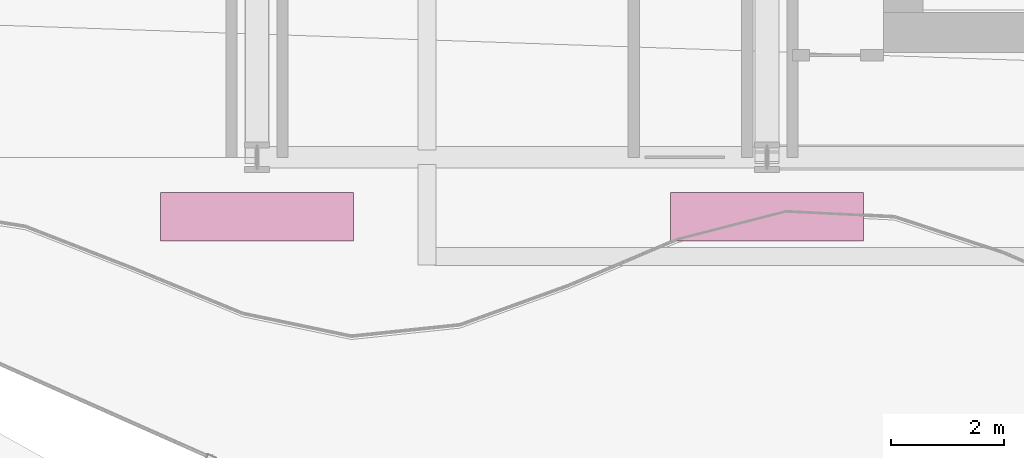
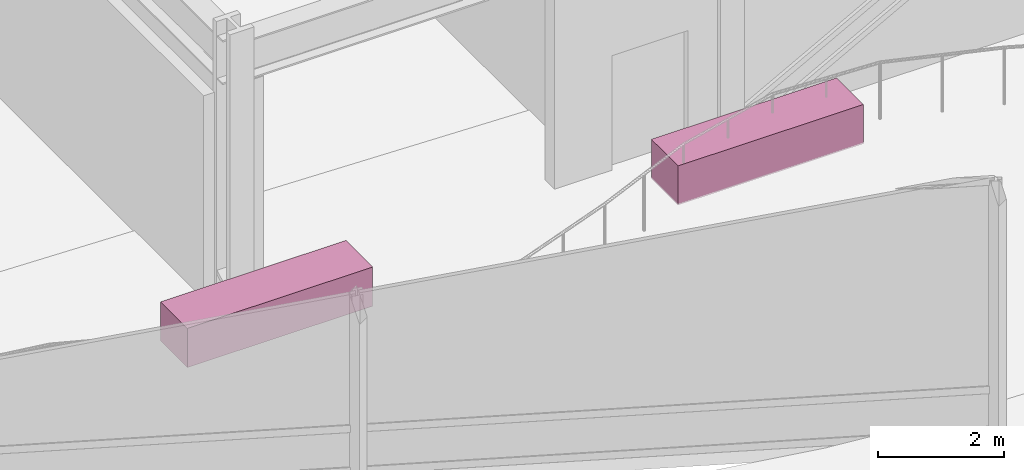
# One storey, part 37 of 37: 2 furnishings.
"""IFC4 building model written with IfcOpenShell, lengths in metres."""

from ifc_helpers import new_model, si_unit, direction, frame, origin, origin_2d, place, context, subcontext, project, spatial, rectangle, extrude, material, type_object, element, save


model = new_model("IFC4")

# Units and contexts
model_context = context("Model", 3, precision=1e-05, world=origin(), true_north=direction((0.0, 1.0)))
body_context = subcontext(model_context, "Body", "Model", "MODEL_VIEW")
ifc_project = project(units=[si_unit("LENGTHUNIT", "METRE"), si_unit("AREAUNIT", "SQUARE_METRE"), si_unit("VOLUMEUNIT", "CUBIC_METRE"), si_unit("PLANEANGLEUNIT", "RADIAN"), si_unit("MASSUNIT", "GRAM", prefix="KILO")], contexts=[model_context])

# Site, building, storey
site_placement = place(None, origin())
site = spatial("IfcSite", under=ifc_project, at=site_placement, CompositionType="ELEMENT")
building_placement = place(site_placement, origin())
building = spatial("IfcBuilding", under=site, at=building_placement, Name="Solvaryn Broadcast Tower", CompositionType="ELEMENT")
storey_placement = place(building_placement, frame((0.0, 0.0, 30.800048828125)))
storey = spatial("IfcBuildingStorey", under=building, at=storey_placement, Name="L06", CompositionType="ELEMENT", Elevation=30.800048828125)

# Furnishings
ifc_material = material(Name="Architectural Terracotta Planter Bed", Category="masonry")
furnishing_element_type = type_object("IfcFurnishingElementType", Name="PLB-01 Garden Planter Bed", material=ifc_material)
for number, where, z_axis, x_axis, name in (
    (1, (18.0, 7.949951171875, 0.0), (0.0, 0.0, 1.0), (1.0, 0.0, 0.0), "L06 Planted Terrace Planter PLANTER-TS-POD-L06-S-1"),
    (2, (27.0, 7.949951171875, 0.0), (0.0, 0.0, 1.0), (1.0, 0.0, 0.0), "L06 Planted Terrace Planter PLANTER-TS-POD-L06-S-2"),
):
    element("IfcFurnishingElement", number, at=place(storey_placement, frame(where, z_axis=z_axis, x_axis=x_axis)), inside=storey, type_object=furnishing_element_type, Name=name, ObjectType="PLANTER", context=body_context, shape_type="SweptSolid", body=[
        extrude(rectangle(XDim=3.39990234375, YDim=0.85009765625, at=origin_2d()), origin(), (0.0, 0.0, 1.0), 0.760009765625),
    ])

save(model, "model.ifc")
